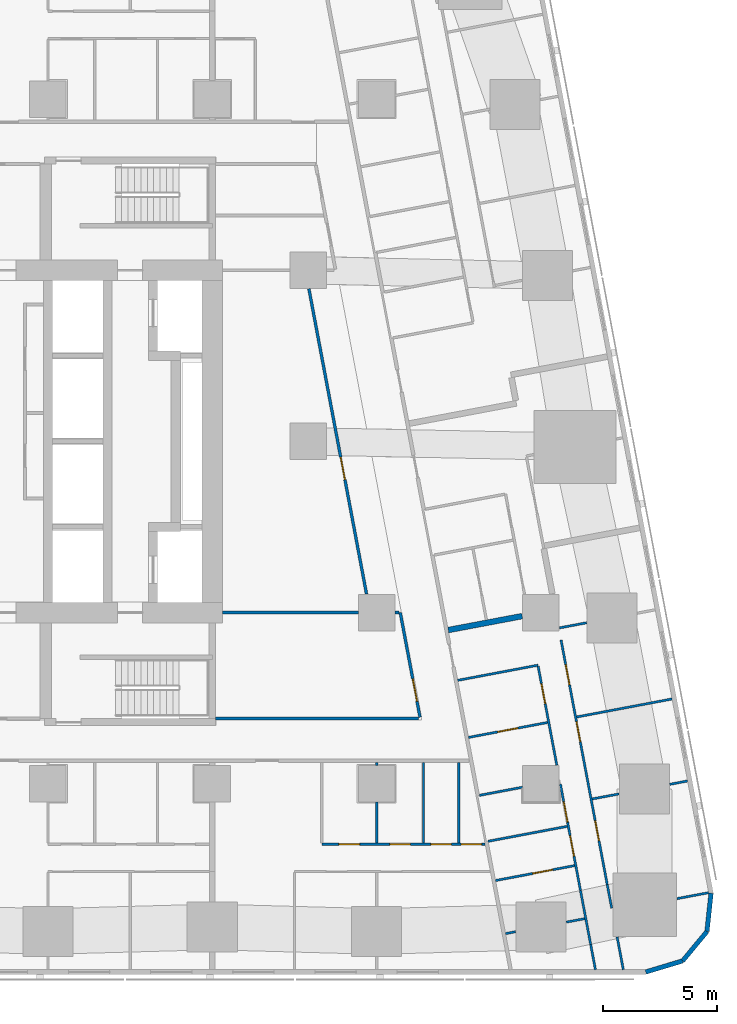
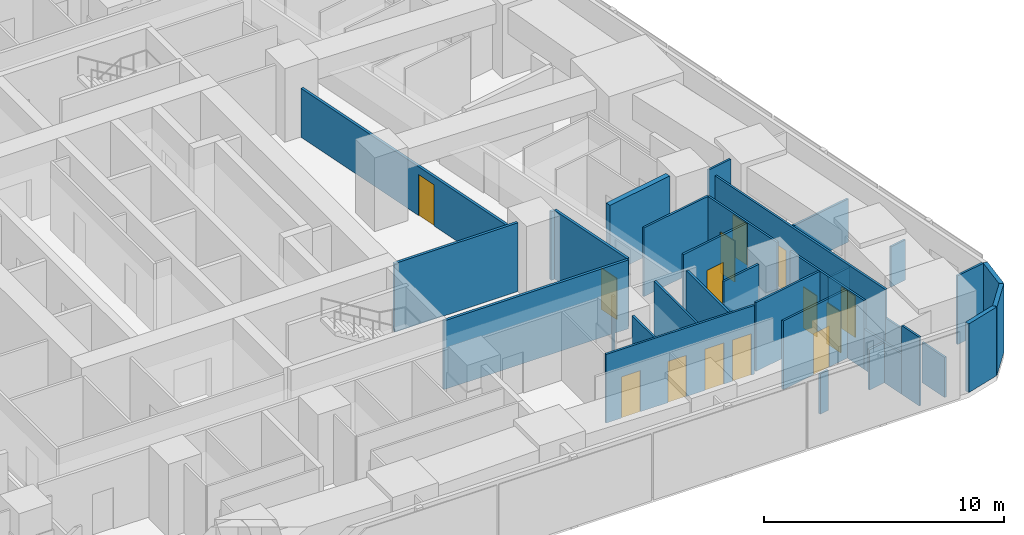
# One storey, part 7 of 17: 33 walls, 14 doors, 14 openings.
"""IFC4 building model written with IfcOpenShell, lengths in metres."""

from ifc_helpers import new_model, si_unit, direction, frame, frame_2d, origin, place, context, subcontext, project, spatial, rectangle, extrude, material, layer, layer_set, type_object, element, fill, save


model = new_model("IFC4")

# Units and contexts
model_context = context("Model", 3, precision=1e-05, world=origin(), true_north=direction((0.0, 1.0)))
body_context = subcontext(model_context, "Body", "Model", "MODEL_VIEW")
ifc_project = project(units=[si_unit("LENGTHUNIT", "METRE"), si_unit("AREAUNIT", "SQUARE_METRE"), si_unit("VOLUMEUNIT", "CUBIC_METRE"), si_unit("PLANEANGLEUNIT", "RADIAN"), si_unit("MASSUNIT", "GRAM", prefix="KILO")], contexts=[model_context])

# Site, building, storey
site_placement = place(None, origin())
site = spatial("IfcSite", under=ifc_project, at=site_placement, CompositionType="ELEMENT")
building_placement = place(site_placement, origin())
building = spatial("IfcBuilding", under=site, at=building_placement, Name="Sheger Commons Tower", CompositionType="ELEMENT")
storey_placement = place(building_placement, frame((0.0, 0.0, 115.39990234375)))
storey = spatial("IfcBuildingStorey", under=building, at=storey_placement, Name="L29", CompositionType="ELEMENT", Elevation=115.39990234375)

# Walls
ifc_material_1 = material(Name="Dense concrete block masonry, plastered both sides (separating wall between flats)", Category="masonry")
ifc_layer_1 = layer(ifc_material_1, 0.25)
ifc_layer_set_1 = layer_set([ifc_layer_1], Name="DEMISING WALL 250")
wall_type_1 = type_object("IfcWallType", Name="DEMISING WALL 250", PredefinedType="SOLIDWALL", material=ifc_layer_set_1)
wall_1_placement = place(storey_placement, frame((42.3759765625, 14.843994140625, 0.0), z_axis=(0.0, 0.0, 1.0), x_axis=(-0.982610440948, -0.18567908159, 0.0)))
element("IfcWall", 1, at=wall_1_placement, inside=storey, type_object=wall_type_1, Name="Demising wall L29", PredefinedType="SOLIDWALL", context=body_context, shape_type="SweptSolid", body=[
    extrude(rectangle(XDim=3.29638671875, YDim=0.25, at=frame_2d((1.648193359375, 0.0))), origin(), (0.0, 0.0, 1.0), 3.5),
])
ifc_material_2 = material(Name="Rendered concrete block masonry, dark grey", Category="masonry")
ifc_layer_2 = layer(ifc_material_2, 0.199951171875)
ifc_layer_set_2 = layer_set([ifc_layer_2], Name="FACADE WALL 200")
wall_type_2 = type_object("IfcWallType", Name="FACADE WALL 200", PredefinedType="SOLIDWALL", material=ifc_layer_set_2)
wall_2_placement = place(storey_placement, frame((47.791015625, -0.75, 0.0), z_axis=(0.0, 0.0, 1.0), x_axis=(0.957455232626, 0.288581838509, 0.0)))
element("IfcWall", 2, at=wall_2_placement, inside=storey, type_object=wall_type_2, Name="Facade wall L29", PredefinedType="SOLIDWALL", context=body_context, shape_type="SweptSolid", body=[
    extrude(rectangle(XDim=1.687744140625, YDim=0.199951171875, at=frame_2d((0.84375, 0.0))), origin(), (0.0, 0.0, 1.0), 3.5),
])
wall_3_placement = place(storey_placement, frame((49.406982421875, -0.262939453125, 0.0), z_axis=(0.0, 0.0, 1.0), x_axis=(0.638042593423, 0.770001070764, 0.0)))
element("IfcWall", 3, at=wall_3_placement, inside=storey, type_object=wall_type_2, Name="Facade wall L29", PredefinedType="SOLIDWALL", context=body_context, shape_type="SweptSolid", body=[
    extrude(rectangle(XDim=1.672607421875, YDim=0.199951171875, at=frame_2d((0.83642578125, 0.0))), origin(), (0.0, 0.0, 1.0), 3.5),
])
wall_4_placement = place(storey_placement, frame((50.47412109375, 1.02490234375, 0.0), z_axis=(0.0, 0.0, 1.0), x_axis=(0.106047815515, 0.994361031429, 0.0)))
element("IfcWall", 4, at=wall_4_placement, inside=storey, type_object=wall_type_2, Name="Facade wall L29", PredefinedType="SOLIDWALL", context=body_context, shape_type="SweptSolid", body=[
    extrude(rectangle(XDim=1.6875, YDim=0.199951171875, at=frame_2d((0.84375, 0.0))), origin(), (0.0, 0.0, 1.0), 3.5),
])

# Wall, openings, doors
ifc_material_3 = material(Name="Gypsum board on steel studs", Category="steel")
ifc_layer_3 = layer(ifc_material_3, 0.10009765625)
ifc_layer_set_3 = layer_set([ifc_layer_3], Name="PARTITION 100")
wall_type_3 = type_object("IfcWallType", Name="PARTITION 100", PredefinedType="PARTITIONING", material=ifc_layer_set_3)
wall_5_placement = place(storey_placement, frame((40.7470703125, 4.85009765625, 0.0), z_axis=(0.0, 0.0, 1.0), x_axis=(-1.0, 0.0, 0.0)))
wall_5 = element("IfcWall", 5, at=wall_5_placement, inside=storey, type_object=wall_type_3, Name="Partition L29", PredefinedType="PARTITIONING", context=body_context, shape_type="SweptSolid", body=[
    extrude(rectangle(XDim=7.14794921875, YDim=0.10009765625, at=frame_2d((3.573974609375, 0.0))), origin(), (0.0, 0.0, 1.0), 3.5),
])
opening_1_placement = place(wall_5_placement, frame((5.498046875, 0.0, 0.0)))
opening_1 = element("IfcOpeningElement", 6, at=opening_1_placement, cuts=wall_5, Name="Opening D2", PredefinedType="OPENING", context=body_context, shape_type="SweptSolid", body=[
    extrude(rectangle(XDim=0.89990234375, YDim=2.10009765625, at=frame_2d((0.449951171875, 1.050048828125))), frame((0.0, 0.06005859375, 0.0), z_axis=(0.0, -1.0, 0.0), x_axis=(1.0, 0.0, 0.0)), (0.0, 0.0, 1.0), 0.1201171875),
])
opening_2_placement = place(wall_5_placement, frame((3.27197265625, 0.0, 0.0)))
opening_2 = element("IfcOpeningElement", 7, at=opening_2_placement, cuts=wall_5, Name="Opening D2", PredefinedType="OPENING", context=body_context, shape_type="SweptSolid", body=[
    extrude(rectangle(XDim=0.89990234375, YDim=2.10009765625, at=frame_2d((0.449951171875, 1.050048828125))), frame((0.0, 0.06005859375, 0.0), z_axis=(0.0, -1.0, 0.0), x_axis=(1.0, 0.0, 0.0)), (0.0, 0.0, 1.0), 0.1201171875),
])
opening_3_placement = place(wall_5_placement, frame((0.14990234375, 0.0, 0.0)))
opening_3 = element("IfcOpeningElement", 8, at=opening_3_placement, cuts=wall_5, Name="Opening D2", PredefinedType="OPENING", context=body_context, shape_type="SweptSolid", body=[
    extrude(rectangle(XDim=0.89990234375, YDim=2.10009765625, at=frame_2d((0.449951171875, 1.050048828125))), frame((0.0, 0.06005859375, 0.0), z_axis=(0.0, -1.0, 0.0), x_axis=(1.0, 0.0, 0.0)), (0.0, 0.0, 1.0), 0.1201171875),
])
opening_4_placement = place(wall_5_placement, frame((1.471923828125, 0.0, 0.0)))
opening_4 = element("IfcOpeningElement", 9, at=opening_4_placement, cuts=wall_5, Name="Opening D2", PredefinedType="OPENING", context=body_context, shape_type="SweptSolid", body=[
    extrude(rectangle(XDim=0.89990234375, YDim=2.10009765625, at=frame_2d((0.449951171875, 1.050048828125))), frame((0.0, 0.06005859375, 0.0), z_axis=(0.0, -1.0, 0.0), x_axis=(1.0, 0.0, 0.0)), (0.0, 0.0, 1.0), 0.1201171875),
])
ifc_material_4 = material(Name="Timber door set", Category="wood")
door_type_1 = type_object("IfcDoorType", Name="INTERNAL DOOR 900x2100", OperationType="NOTDEFINED", PredefinedType="DOOR", material=ifc_material_4)
door_1_placement = place(opening_1_placement, origin())
door_1 = element("IfcDoor", 10, at=door_1_placement, inside=storey, type_object=door_type_1, Name="Laundry room door", OperationType="SINGLE_SWING_LEFT", OverallHeight=2.10009765625, OverallWidth=0.89990234375, PredefinedType="DOOR", context=body_context, shape_type="SweptSolid", body=[
    extrude(rectangle(XDim=0.89990234375, YDim=2.10009765625, at=frame_2d((0.449951171875, 1.050048828125))), frame((0.0, 0.02490234375, 0.0), z_axis=(0.0, -1.0, 0.0), x_axis=(1.0, 0.0, 0.0)), (0.0, 0.0, 1.0), 0.050048828125),
])
fill(opening_1, door_1)
door_2_placement = place(opening_2_placement, origin())
door_2 = element("IfcDoor", 11, at=door_2_placement, inside=storey, type_object=door_type_1, Name="Bathroom door", OperationType="SINGLE_SWING_RIGHT", OverallHeight=2.10009765625, OverallWidth=0.89990234375, PredefinedType="DOOR", context=body_context, shape_type="SweptSolid", body=[
    extrude(rectangle(XDim=0.89990234375, YDim=2.10009765625, at=frame_2d((0.449951171875, 1.050048828125))), frame((0.0, 0.02490234375, 0.0), z_axis=(0.0, -1.0, 0.0), x_axis=(1.0, 0.0, 0.0)), (0.0, 0.0, 1.0), 0.050048828125),
])
fill(opening_2, door_2)
door_3_placement = place(opening_3_placement, origin())
door_3 = element("IfcDoor", 12, at=door_3_placement, inside=storey, type_object=door_type_1, Name="Laundry room door", OperationType="SINGLE_SWING_RIGHT", OverallHeight=2.10009765625, OverallWidth=0.89990234375, PredefinedType="DOOR", context=body_context, shape_type="SweptSolid", body=[
    extrude(rectangle(XDim=0.89990234375, YDim=2.10009765625, at=frame_2d((0.449951171875, 1.050048828125))), frame((0.0, 0.02490234375, 0.0), z_axis=(0.0, -1.0, 0.0), x_axis=(1.0, 0.0, 0.0)), (0.0, 0.0, 1.0), 0.050048828125),
])
fill(opening_3, door_3)
door_4_placement = place(opening_4_placement, origin())
door_4 = element("IfcDoor", 13, at=door_4_placement, inside=storey, type_object=door_type_1, Name="Store door", OperationType="SINGLE_SWING_LEFT", OverallHeight=2.10009765625, OverallWidth=0.89990234375, PredefinedType="DOOR", context=body_context, shape_type="SweptSolid", body=[
    extrude(rectangle(XDim=0.89990234375, YDim=2.10009765625, at=frame_2d((0.449951171875, 1.050048828125))), frame((0.0, 0.02490234375, 0.0), z_axis=(0.0, -1.0, 0.0), x_axis=(1.0, 0.0, 0.0)), (0.0, 0.0, 1.0), 0.050048828125),
])
fill(opening_4, door_4)

# Walls
wall_6_placement = place(storey_placement, frame((36.0, 4.89990234375, 0.0), z_axis=(0.0, 0.0, 1.0), x_axis=(0.0, 1.0, 0.0)))
element("IfcWall", 14, at=wall_6_placement, inside=storey, type_object=wall_type_3, Name="Partition L29", PredefinedType="PARTITIONING", context=body_context, shape_type="SweptSolid", body=[
    extrude(rectangle(XDim=1.799072265625, YDim=0.10009765625, at=frame_2d((0.8994140625, 0.0))), origin(), (0.0, 0.0, 1.0), 3.5),
])
wall_7_placement = place(storey_placement, frame((36.0, 8.301025390625, 0.0), z_axis=(0.0, 0.0, 1.0), x_axis=(0.0, 1.0, 0.0)))
element("IfcWall", 15, at=wall_7_placement, inside=storey, type_object=wall_type_3, Name="Partition L29", PredefinedType="PARTITIONING", context=body_context, shape_type="SweptSolid", body=[
    extrude(rectangle(XDim=0.1240234375, YDim=0.10009765625, at=frame_2d((0.06201171875, 0.0))), origin(), (0.0, 0.0, 1.0), 3.5),
])
for number, where, z_axis, x_axis, name in (
    (16, (39.60009765625, 4.89990234375, 0.0), (0.0, 0.0, 1.0), (0.0, 1.0, 0.0), "Partition L29"),
    (17, (38.050048828125, 4.89990234375, 0.0), (0.0, 0.0, 1.0), (0.0, 1.0, 0.0), "Partition L29"),
):
    element("IfcWall", number, at=place(storey_placement, frame(where, z_axis=z_axis, x_axis=x_axis)), inside=storey, type_object=wall_type_3, Name=name, PredefinedType="PARTITIONING", context=body_context, shape_type="SweptSolid", body=[
        extrude(rectangle(XDim=3.525146484375, YDim=0.10009765625, at=frame_2d((1.7626953125, 0.0))), origin(), (0.0, 0.0, 1.0), 3.5),
    ])

# Wall, openings, doors
wall_8_placement = place(storey_placement, frame((44.080078125, 13.7939453125, 0.0), z_axis=(0.0, 0.0, 1.0), x_axis=(0.185608455357, -0.982623784212, 0.0)))
wall_8 = element("IfcWall", 18, at=wall_8_placement, inside=storey, type_object=wall_type_3, Name="Partition L29", PredefinedType="PARTITIONING", context=body_context, shape_type="SweptSolid", body=[
    extrude(rectangle(XDim=10.909423828125, YDim=0.10009765625, at=frame_2d((5.45458984375, 0.0))), origin(), (0.0, 0.0, 1.0), 3.5),
])
opening_5_placement = place(wall_8_placement, frame((1.093994140625, 0.0, 0.0)))
opening_5 = element("IfcOpeningElement", 19, at=opening_5_placement, cuts=wall_8, Name="Opening D2", PredefinedType="OPENING", context=body_context, shape_type="SweptSolid", body=[
    extrude(rectangle(XDim=0.89990234375, YDim=2.10009765625, at=frame_2d((0.449951171875, 1.050048828125))), frame((0.0, 0.06005859375, 0.0), z_axis=(0.0, -1.0, 0.0), x_axis=(1.0, 0.0, 0.0)), (0.0, 0.0, 1.0), 0.1201171875),
])
opening_6_placement = place(wall_8_placement, frame((3.638916015625, 0.0, 0.0)))
opening_6 = element("IfcOpeningElement", 20, at=opening_6_placement, cuts=wall_8, Name="Opening D2", PredefinedType="OPENING", context=body_context, shape_type="SweptSolid", body=[
    extrude(rectangle(XDim=0.89990234375, YDim=2.10009765625, at=frame_2d((0.449951171875, 1.050048828125))), frame((0.0, 0.06005859375, 0.0), z_axis=(0.0, -1.0, 0.0), x_axis=(1.0, 0.0, 0.0)), (0.0, 0.0, 1.0), 0.1201171875),
])
opening_7_placement = place(wall_8_placement, frame((8.050048828125, 0.0, 0.0)))
opening_7 = element("IfcOpeningElement", 21, at=opening_7_placement, cuts=wall_8, Name="Opening D2", PredefinedType="OPENING", context=body_context, shape_type="SweptSolid", body=[
    extrude(rectangle(XDim=0.89990234375, YDim=2.10009765625, at=frame_2d((0.449951171875, 1.050048828125))), frame((0.0, 0.06005859375, 0.0), z_axis=(0.0, -1.0, 0.0), x_axis=(1.0, 0.0, 0.0)), (0.0, 0.0, 1.0), 0.1201171875),
])
door_5_placement = place(opening_5_placement, origin())
door_5 = element("IfcDoor", 22, at=door_5_placement, inside=storey, type_object=door_type_1, Name="Main bedroom door", OperationType="SINGLE_SWING_LEFT", OverallHeight=2.10009765625, OverallWidth=0.89990234375, PredefinedType="DOOR", context=body_context, shape_type="SweptSolid", body=[
    extrude(rectangle(XDim=0.89990234375, YDim=2.10009765625, at=frame_2d((0.449951171875, 1.050048828125))), frame((0.0, 0.02490234375, 0.0), z_axis=(0.0, -1.0, 0.0), x_axis=(1.0, 0.0, 0.0)), (0.0, 0.0, 1.0), 0.050048828125),
])
fill(opening_5, door_5)
door_6_placement = place(opening_6_placement, origin())
door_6 = element("IfcDoor", 23, at=door_6_placement, inside=storey, type_object=door_type_1, Name="Bedroom 2 door", OperationType="SINGLE_SWING_LEFT", OverallHeight=2.10009765625, OverallWidth=0.89990234375, PredefinedType="DOOR", context=body_context, shape_type="SweptSolid", body=[
    extrude(rectangle(XDim=0.89990234375, YDim=2.10009765625, at=frame_2d((0.449951171875, 1.050048828125))), frame((0.0, 0.02490234375, 0.0), z_axis=(0.0, -1.0, 0.0), x_axis=(1.0, 0.0, 0.0)), (0.0, 0.0, 1.0), 0.050048828125),
])
fill(opening_6, door_6)
door_7_placement = place(opening_7_placement, origin())
door_7 = element("IfcDoor", 24, at=door_7_placement, inside=storey, type_object=door_type_1, Name="Bedroom 3 door", OperationType="SINGLE_SWING_LEFT", OverallHeight=2.10009765625, OverallWidth=0.89990234375, PredefinedType="DOOR", context=body_context, shape_type="SweptSolid", body=[
    extrude(rectangle(XDim=0.89990234375, YDim=2.10009765625, at=frame_2d((0.449951171875, 1.050048828125))), frame((0.0, 0.02490234375, 0.0), z_axis=(0.0, -1.0, 0.0), x_axis=(1.0, 0.0, 0.0)), (0.0, 0.0, 1.0), 0.050048828125),
])
fill(opening_7, door_7)

# Walls
wall_9_placement = place(storey_placement, frame((46.10498046875, 3.073974609375, 0.0), z_axis=(0.0, 0.0, 1.0), x_axis=(0.185727077805, -0.982601370124, 0.0)))
element("IfcWall", 25, at=wall_9_placement, inside=storey, type_object=wall_type_3, Name="Partition L29", PredefinedType="PARTITIONING", context=body_context, shape_type="SweptSolid", body=[
    extrude(rectangle(XDim=1.044921875, YDim=0.10009765625, at=frame_2d((0.5224609375, 0.0))), origin(), (0.0, 0.0, 1.0), 2.050048828125),
])
wall_10_placement = place(storey_placement, frame((46.537109375, 0.787109375, 0.0), z_axis=(0.0, 0.0, 1.0), x_axis=(0.1853166059, -0.982678866964, 0.0)))
element("IfcWall", 26, at=wall_10_placement, inside=storey, type_object=wall_type_3, Name="Partition L29", PredefinedType="PARTITIONING", context=body_context, shape_type="SweptSolid", body=[
    extrude(rectangle(XDim=1.46240234375, YDim=0.10009765625, at=frame_2d((0.731201171875, 0.0))), origin(), (0.0, 0.0, 1.0), 2.050048828125),
])

# Wall, opening, door
wall_11_placement = place(storey_placement, frame((43.075927734375, 12.64404296875, 0.0), z_axis=(0.0, 0.0, 1.0), x_axis=(0.185705350074, -0.982605476757, 0.0)))
wall_11 = element("IfcWall", 27, at=wall_11_placement, inside=storey, type_object=wall_type_3, Name="Partition L29", PredefinedType="PARTITIONING", context=body_context, shape_type="SweptSolid", body=[
    extrude(rectangle(XDim=4.41064453125, YDim=0.10009765625, at=frame_2d((2.205322265625, 0.0))), origin(), (0.0, 0.0, 1.0), 3.5),
])
opening_8_placement = place(wall_11_placement, frame((0.77294921875, 0.0, 0.0)))
opening_8 = element("IfcOpeningElement", 28, at=opening_8_placement, cuts=wall_11, Name="Opening D2", PredefinedType="OPENING", context=body_context, shape_type="SweptSolid", body=[
    extrude(rectangle(XDim=0.89990234375, YDim=2.10009765625, at=frame_2d((0.449951171875, 1.050048828125))), frame((0.0, 0.06005859375, 0.0), z_axis=(0.0, -1.0, 0.0), x_axis=(1.0, 0.0, 0.0)), (0.0, 0.0, 1.0), 0.1201171875),
])
door_8_placement = place(opening_8_placement, origin())
door_8 = element("IfcDoor", 29, at=door_8_placement, inside=storey, type_object=door_type_1, Name="Store and laundry door", OperationType="SINGLE_SWING_RIGHT", OverallHeight=2.10009765625, OverallWidth=0.89990234375, PredefinedType="DOOR", context=body_context, shape_type="SweptSolid", body=[
    extrude(rectangle(XDim=0.89990234375, YDim=2.10009765625, at=frame_2d((0.449951171875, 1.050048828125))), frame((0.0, 0.02490234375, 0.0), z_axis=(0.0, -1.0, 0.0), x_axis=(1.0, 0.0, 0.0)), (0.0, 0.0, 1.0), 0.050048828125),
])
fill(opening_8, door_8)

# Wall, openings, doors
wall_12_placement = place(storey_placement, frame((44.049072265625, 7.490966796875, 0.0), z_axis=(0.0, 0.0, 1.0), x_axis=(0.185628828844, -0.982619935632, 0.0)))
wall_12 = element("IfcWall", 30, at=wall_12_placement, inside=storey, type_object=wall_type_3, Name="Partition L29", PredefinedType="PARTITIONING", context=body_context, shape_type="SweptSolid", body=[
    extrude(rectangle(XDim=4.75048828125, YDim=0.10009765625, at=frame_2d((2.375244140625, 0.0))), origin(), (0.0, 0.0, 1.0), 3.5),
])
opening_9_placement = place(wall_12_placement, frame((0.800048828125, 0.0, 0.0)))
opening_9 = element("IfcOpeningElement", 31, at=opening_9_placement, cuts=wall_12, Name="Opening D2", PredefinedType="OPENING", context=body_context, shape_type="SweptSolid", body=[
    extrude(rectangle(XDim=0.89990234375, YDim=2.10009765625, at=frame_2d((0.449951171875, 1.050048828125))), frame((0.0, 0.06005859375, 0.0), z_axis=(0.0, -1.0, 0.0), x_axis=(1.0, 0.0, 0.0)), (0.0, 0.0, 1.0), 0.1201171875),
])
opening_10_placement = place(wall_12_placement, frame((2.31591796875, 0.0, 0.0)))
opening_10 = element("IfcOpeningElement", 32, at=opening_10_placement, cuts=wall_12, Name="Opening D2", PredefinedType="OPENING", context=body_context, shape_type="SweptSolid", body=[
    extrude(rectangle(XDim=0.89990234375, YDim=2.10009765625, at=frame_2d((0.449951171875, 1.050048828125))), frame((0.0, 0.06005859375, 0.0), z_axis=(0.0, -1.0, 0.0), x_axis=(1.0, 0.0, 0.0)), (0.0, 0.0, 1.0), 0.1201171875),
])
door_9_placement = place(opening_9_placement, origin())
door_9 = element("IfcDoor", 33, at=door_9_placement, inside=storey, type_object=door_type_1, Name="Bathroom door", OperationType="SINGLE_SWING_LEFT", OverallHeight=2.10009765625, OverallWidth=0.89990234375, PredefinedType="DOOR", context=body_context, shape_type="SweptSolid", body=[
    extrude(rectangle(XDim=0.89990234375, YDim=2.10009765625, at=frame_2d((0.449951171875, 1.050048828125))), frame((0.0, 0.02490234375, 0.0), z_axis=(0.0, -1.0, 0.0), x_axis=(1.0, 0.0, 0.0)), (0.0, 0.0, 1.0), 0.050048828125),
])
fill(opening_9, door_9)
door_10_placement = place(opening_10_placement, origin())
door_10 = element("IfcDoor", 34, at=door_10_placement, inside=storey, type_object=door_type_1, Name="Store door", OperationType="SINGLE_SWING_LEFT", OverallHeight=2.10009765625, OverallWidth=0.89990234375, PredefinedType="DOOR", context=body_context, shape_type="SweptSolid", body=[
    extrude(rectangle(XDim=0.89990234375, YDim=2.10009765625, at=frame_2d((0.449951171875, 1.050048828125))), frame((0.0, 0.02490234375, 0.0), z_axis=(0.0, -1.0, 0.0), x_axis=(1.0, 0.0, 0.0)), (0.0, 0.0, 1.0), 0.050048828125),
])
fill(opening_10, door_10)

# Walls
wall_13_placement = place(storey_placement, frame((44.930908203125, 2.822998046875, 0.0), z_axis=(0.0, 0.0, 1.0), x_axis=(0.185631845838, -0.982619365681, 0.0)))
element("IfcWall", 35, at=wall_13_placement, inside=storey, type_object=wall_type_3, Name="Partition L29", PredefinedType="PARTITIONING", context=body_context, shape_type="SweptSolid", body=[
    extrude(rectangle(XDim=2.40283203125, YDim=0.10009765625, at=frame_2d((1.201416015625, 0.0))), origin(), (0.0, 0.0, 1.0), 2.050048828125),
])
wall_14_placement = place(storey_placement, frame((45.376953125, 0.4619140625, 0.0), z_axis=(0.0, 0.0, 1.0), x_axis=(0.185565106588, -0.9826319714, 0.0)))
element("IfcWall", 36, at=wall_14_placement, inside=storey, type_object=wall_type_3, Name="Partition L29", PredefinedType="PARTITIONING", context=body_context, shape_type="SweptSolid", body=[
    extrude(rectangle(XDim=1.13134765625, YDim=0.10009765625, at=frame_2d((0.565673828125, 0.0))), origin(), (0.0, 0.0, 1.0), 3.5),
])
wall_15_placement = place(storey_placement, frame((45.2041015625, 14.552978515625, 0.0), z_axis=(0.0, 0.0, 1.0), x_axis=(-0.982545444659, -0.186022711461, 0.0)))
element("IfcWall", 37, at=wall_15_placement, inside=storey, type_object=wall_type_3, Name="Partition L29", PredefinedType="PARTITIONING", context=body_context, shape_type="SweptSolid", body=[
    extrude(rectangle(XDim=1.21533203125, YDim=0.10009765625, at=frame_2d((0.607666015625, 0.0))), origin(), (0.0, 0.0, 1.0), 3.5),
])
wall_16_placement = place(storey_placement, frame((48.943115234375, 11.212890625, 0.0), z_axis=(0.0, 0.0, 1.0), x_axis=(-0.982623519589, -0.185609856287, 0.0)))
element("IfcWall", 38, at=wall_16_placement, inside=storey, type_object=wall_type_3, Name="Partition L29", PredefinedType="PARTITIONING", context=body_context, shape_type="SweptSolid", body=[
    extrude(rectangle(XDim=4.249755859375, YDim=0.10009765625, at=frame_2d((2.125, 0.0))), origin(), (0.0, 0.0, 1.0), 2.2001953125),
])
wall_17_placement = place(storey_placement, frame((49.6220703125, 7.6201171875, 0.0), z_axis=(0.0, 0.0, 1.0), x_axis=(-0.982512656401, -0.186195810938, 0.0)))
element("IfcWall", 39, at=wall_17_placement, inside=storey, type_object=wall_type_3, Name="Partition L29", PredefinedType="PARTITIONING", context=body_context, shape_type="SweptSolid", body=[
    extrude(rectangle(XDim=0.7958984375, YDim=0.10009765625, at=frame_2d((0.39794921875, 0.0))), origin(), (0.0, 0.0, 1.0), 2.050048828125),
])
wall_18_placement = place(storey_placement, frame((46.6201171875, 7.052978515625, 0.0), z_axis=(0.0, 0.0, 1.0), x_axis=(-0.982749355621, -0.18494243436, 0.0)))
element("IfcWall", 40, at=wall_18_placement, inside=storey, type_object=wall_type_3, Name="Partition L29", PredefinedType="PARTITIONING", context=body_context, shape_type="SweptSolid", body=[
    extrude(rectangle(XDim=1.194580078125, YDim=0.10009765625, at=frame_2d((0.59716796875, 0.0))), origin(), (0.0, 0.0, 1.0), 2.050048828125),
])
wall_19_placement = place(storey_placement, frame((50.547119140625, 2.72607421875, 0.0), z_axis=(0.0, 0.0, 1.0), x_axis=(-0.982680053146, -0.185310315822, 0.0)))
element("IfcWall", 41, at=wall_19_placement, inside=storey, type_object=wall_type_3, Name="Partition L29", PredefinedType="PARTITIONING", context=body_context, shape_type="SweptSolid", body=[
    extrude(rectangle(XDim=1.41357421875, YDim=0.10009765625, at=frame_2d((0.706787109375, 0.0))), origin(), (0.0, 0.0, 1.0), 3.5),
])
wall_20_placement = place(storey_placement, frame((43.06689453125, 12.693115234375, 0.0), z_axis=(0.0, 0.0, 1.0), x_axis=(-0.982598214409, -0.185743772548, 0.0)))
element("IfcWall", 42, at=wall_20_placement, inside=storey, type_object=wall_type_3, Name="Partition L29", PredefinedType="PARTITIONING", context=body_context, shape_type="SweptSolid", body=[
    extrude(rectangle(XDim=3.5751953125, YDim=0.10009765625, at=frame_2d((1.78759765625, 0.0))), origin(), (0.0, 0.0, 1.0), 3.5),
])

# Wall, opening, door
wall_21_placement = place(storey_placement, frame((43.489990234375, 10.18310546875, 0.0), z_axis=(0.0, 0.0, 1.0), x_axis=(-0.982588017646, -0.185797706064, 0.0)))
wall_21 = element("IfcWall", 43, at=wall_21_placement, inside=storey, type_object=wall_type_3, Name="Partition L29", PredefinedType="PARTITIONING", context=body_context, shape_type="SweptSolid", body=[
    extrude(rectangle(XDim=3.525390625, YDim=0.10009765625, at=frame_2d((1.7626953125, 0.0))), origin(), (0.0, 0.0, 1.0), 3.5),
])
opening_11_placement = place(wall_21_placement, frame((1.324951171875, 0.0, 0.0)))
opening_11 = element("IfcOpeningElement", 44, at=opening_11_placement, cuts=wall_21, Name="Opening D2", PredefinedType="OPENING", context=body_context, shape_type="SweptSolid", body=[
    extrude(rectangle(XDim=0.89990234375, YDim=2.10009765625, at=frame_2d((0.449951171875, 1.050048828125))), frame((0.0, 0.06005859375, 0.0), z_axis=(0.0, -1.0, 0.0), x_axis=(1.0, 0.0, 0.0)), (0.0, 0.0, 1.0), 0.1201171875),
])
door_11_placement = place(opening_11_placement, origin())
door_11 = element("IfcDoor", 45, at=door_11_placement, inside=storey, type_object=door_type_1, Name="Store door", OperationType="SINGLE_SWING_LEFT", OverallHeight=2.10009765625, OverallWidth=0.89990234375, PredefinedType="DOOR", context=body_context, shape_type="SweptSolid", body=[
    extrude(rectangle(XDim=0.89990234375, YDim=2.10009765625, at=frame_2d((0.449951171875, 1.050048828125))), frame((0.0, 0.02490234375, 0.0), z_axis=(0.0, -1.0, 0.0), x_axis=(1.0, 0.0, 0.0)), (0.0, 0.0, 1.0), 0.050048828125),
])
fill(opening_11, door_11)

# Walls
wall_22_placement = place(storey_placement, frame((42.389892578125, 7.346923828125, 0.0), z_axis=(0.0, 0.0, 1.0), x_axis=(-0.982633642782, -0.185556255819, 0.0)))
element("IfcWall", 46, at=wall_22_placement, inside=storey, type_object=wall_type_3, Name="Partition L29", PredefinedType="PARTITIONING", context=body_context, shape_type="SweptSolid", body=[
    extrude(rectangle(XDim=1.918212890625, YDim=0.10009765625, at=frame_2d((0.958984375, 0.0))), origin(), (0.0, 0.0, 1.0), 3.5),
])
wall_23_placement = place(storey_placement, frame((45.114013671875, 1.5869140625, 0.0), z_axis=(0.0, 0.0, 1.0), x_axis=(-0.982624706348, -0.185603573443, 0.0)))
element("IfcWall", 47, at=wall_23_placement, inside=storey, type_object=wall_type_3, Name="Partition L29", PredefinedType="PARTITIONING", context=body_context, shape_type="SweptSolid", body=[
    extrude(rectangle(XDim=0.818115234375, YDim=0.10009765625, at=frame_2d((0.4091796875, 0.0))), origin(), (0.0, 0.0, 1.0), 2.050048828125),
])
wall_24_placement = place(storey_placement, frame((42.090087890625, 1.014892578125, 0.0), z_axis=(0.0, 0.0, 1.0), x_axis=(-0.982680384557, -0.185308558375, 0.0)))
element("IfcWall", 48, at=wall_24_placement, inside=storey, type_object=wall_type_3, Name="Partition L29", PredefinedType="PARTITIONING", context=body_context, shape_type="SweptSolid", body=[
    extrude(rectangle(XDim=0.447998046875, YDim=0.10009765625, at=frame_2d((0.22412109375, 0.0))), origin(), (0.0, 0.0, 1.0), 2.050048828125),
])
wall_25_placement = place(storey_placement, frame((44.35009765625, 5.631103515625, 0.0), z_axis=(0.0, 0.0, 1.0), x_axis=(-0.982638553676, -0.185530247748, 0.0)))
element("IfcWall", 49, at=wall_25_placement, inside=storey, type_object=wall_type_3, Name="Partition L29", PredefinedType="PARTITIONING", context=body_context, shape_type="SweptSolid", body=[
    extrude(rectangle(XDim=3.525390625, YDim=0.10009765625, at=frame_2d((1.7626953125, 0.0))), origin(), (0.0, 0.0, 1.0), 3.5),
])

# Wall, opening, door
wall_26_placement = place(storey_placement, frame((41.2099609375, 3.258056640625, 0.0), z_axis=(0.0, 0.0, 1.0), x_axis=(0.982638553676, 0.185530247748, 0.0)))
wall_26 = element("IfcWall", 50, at=wall_26_placement, inside=storey, type_object=wall_type_3, Name="Partition L29", PredefinedType="PARTITIONING", context=body_context, shape_type="SweptSolid", body=[
    extrude(rectangle(XDim=3.525390625, YDim=0.10009765625, at=frame_2d((1.7626953125, 0.0))), origin(), (0.0, 0.0, 1.0), 3.5),
])
opening_12_placement = place(wall_26_placement, frame((1.64990234375, 0.0, 0.0)))
opening_12 = element("IfcOpeningElement", 51, at=opening_12_placement, cuts=wall_26, Name="Opening D2", PredefinedType="OPENING", context=body_context, shape_type="SweptSolid", body=[
    extrude(rectangle(XDim=0.89990234375, YDim=2.10009765625, at=frame_2d((0.449951171875, 1.050048828125))), frame((0.0, 0.06005859375, 0.0), z_axis=(0.0, -1.0, 0.0), x_axis=(1.0, 0.0, 0.0)), (0.0, 0.0, 1.0), 0.1201171875),
])
door_12_placement = place(opening_12_placement, origin())
door_12 = element("IfcDoor", 52, at=door_12_placement, inside=storey, type_object=door_type_1, Name="Store door", OperationType="SINGLE_SWING_RIGHT", OverallHeight=2.10009765625, OverallWidth=0.89990234375, PredefinedType="DOOR", context=body_context, shape_type="SweptSolid", body=[
    extrude(rectangle(XDim=0.89990234375, YDim=2.10009765625, at=frame_2d((0.449951171875, 1.050048828125))), frame((0.0, 0.02490234375, 0.0), z_axis=(0.0, -1.0, 0.0), x_axis=(1.0, 0.0, 0.0)), (0.0, 0.0, 1.0), 0.050048828125),
])
fill(opening_12, door_12)

# Wall
ifc_material_5 = material(Name="Gypsum board on steel studs, two layers each side, fire rated", Category="steel")
ifc_layer_4 = layer(ifc_material_5, 0.125)
ifc_layer_set_4 = layer_set([ifc_layer_4], Name="SERVICE WALL 125")
wall_type_4 = type_object("IfcWallType", Name="SERVICE WALL 125", PredefinedType="PARTITIONING", material=ifc_layer_set_4)
wall_27_placement = place(storey_placement, frame((28.949951171875, 10.35009765625, 0.0), z_axis=(0.0, 0.0, 1.0), x_axis=(1.0, 0.0, 0.0)))
element("IfcWall", 53, at=wall_27_placement, inside=storey, type_object=wall_type_4, Name="Service room wall L29", PredefinedType="PARTITIONING", context=body_context, shape_type="SweptSolid", body=[
    extrude(rectangle(XDim=8.885986328125, YDim=0.125, at=frame_2d((4.44287109375, 0.0))), origin(), (0.0, 0.0, 1.0), 3.5),
])

# Wall, opening, door
wall_28_placement = place(storey_placement, frame((37.89990234375, 10.4130859375, 0.0), z_axis=(0.0, 0.0, 1.0), x_axis=(-0.185513629891, 0.982641691119, 0.0)))
wall_28 = element("IfcWall", 54, at=wall_28_placement, inside=storey, type_object=wall_type_4, Name="Service room wall L29", PredefinedType="PARTITIONING", context=body_context, shape_type="SweptSolid", body=[
    extrude(rectangle(XDim=4.66796875, YDim=0.125, at=frame_2d((2.333984375, 0.0))), origin(), (0.0, 0.0, 1.0), 3.5),
])
opening_13_placement = place(wall_28_placement, frame((0.7080078125, 0.0, 0.0)))
opening_13 = element("IfcOpeningElement", 55, at=opening_13_placement, cuts=wall_28, Name="Opening D4", PredefinedType="OPENING", context=body_context, shape_type="SweptSolid", body=[
    extrude(rectangle(XDim=1.0, YDim=2.10009765625, at=frame_2d((0.5, 1.050048828125))), frame((0.0, 0.072509765625, 0.0), z_axis=(0.0, -1.0, 0.0), x_axis=(1.0, 0.0, 0.0)), (0.0, 0.0, 1.0), 0.14501953125),
])
ifc_material_6 = material(Name="Steel door set, fire rated", Category="steel")
door_type_2 = type_object("IfcDoorType", Name="SERVICE DOOR 1000x2100", OperationType="NOTDEFINED", PredefinedType="DOOR", material=ifc_material_6)
door_13_placement = place(opening_13_placement, origin())
door_13 = element("IfcDoor", 56, at=door_13_placement, inside=storey, type_object=door_type_2, Name="Parcel and delivery room door", OperationType="SINGLE_SWING_LEFT", OverallHeight=2.10009765625, OverallWidth=1.0, PredefinedType="DOOR", context=body_context, shape_type="SweptSolid", body=[
    extrude(rectangle(XDim=1.0, YDim=2.10009765625, at=frame_2d((0.5, 1.050048828125))), frame((0.0, 0.02490234375, 0.0), z_axis=(0.0, -1.0, 0.0), x_axis=(1.0, 0.0, 0.0)), (0.0, 0.0, 1.0), 0.050048828125),
])
fill(opening_13, door_13)

wall_29_placement = place(storey_placement, frame((35.556884765625, 15.81298828125, 0.0), z_axis=(0.0, 0.0, 1.0), x_axis=(-0.185583681679, 0.982628463405, 0.0)))
wall_29 = element("IfcWall", 57, at=wall_29_placement, inside=storey, type_object=wall_type_4, Name="Service room wall L29", PredefinedType="PARTITIONING", context=body_context, shape_type="SweptSolid", body=[
    extrude(rectangle(XDim=13.6103515625, YDim=0.125, at=frame_2d((6.80517578125, 0.0))), origin(), (0.0, 0.0, 1.0), 2.5),
])
opening_14_placement = place(wall_29_placement, frame((5.10009765625, 0.0, 0.0)))
opening_14 = element("IfcOpeningElement", 58, at=opening_14_placement, cuts=wall_29, Name="Opening D4", PredefinedType="OPENING", context=body_context, shape_type="SweptSolid", body=[
    extrude(rectangle(XDim=1.0, YDim=2.10009765625, at=frame_2d((0.5, 1.050048828125))), frame((0.0, 0.072509765625, 0.0), z_axis=(0.0, -1.0, 0.0), x_axis=(1.0, 0.0, 0.0)), (0.0, 0.0, 1.0), 0.14501953125),
])
door_14_placement = place(opening_14_placement, origin())
door_14 = element("IfcDoor", 59, at=door_14_placement, inside=storey, type_object=door_type_2, Name="Residents' gym door", OperationType="SINGLE_SWING_LEFT", OverallHeight=2.10009765625, OverallWidth=1.0, PredefinedType="DOOR", context=body_context, shape_type="SweptSolid", body=[
    extrude(rectangle(XDim=1.0, YDim=2.10009765625, at=frame_2d((0.5, 1.050048828125))), frame((0.0, 0.02490234375, 0.0), z_axis=(0.0, -1.0, 0.0), x_axis=(1.0, 0.0, 0.0)), (0.0, 0.0, 1.0), 0.050048828125),
])
fill(opening_14, door_14)

# Walls
wall_30_placement = place(storey_placement, frame((29.25, 15.0, 0.0), z_axis=(0.0, 0.0, 1.0), x_axis=(1.0, 0.0, 0.0)))
element("IfcWall", 60, at=wall_30_placement, inside=storey, type_object=wall_type_4, Name="Service room wall L29", PredefinedType="PARTITIONING", context=body_context, shape_type="SweptSolid", body=[
    extrude(rectangle(XDim=5.948974609375, YDim=0.125, at=frame_2d((2.974609375, 0.0))), origin(), (0.0, 0.0, 1.0), 3.5),
])
wall_31_placement = place(storey_placement, frame((36.801025390625, 15.0, 0.0), z_axis=(0.0, 0.0, 1.0), x_axis=(1.0, 0.0, 0.0)))
element("IfcWall", 61, at=wall_31_placement, inside=storey, type_object=wall_type_4, Name="Service room wall L29", PredefinedType="PARTITIONING", context=body_context, shape_type="SweptSolid", body=[
    extrude(rectangle(XDim=0.171875, YDim=0.125, at=frame_2d((0.0859375, 0.0))), origin(), (0.0, 0.0, 1.0), 3.5),
])

save(model, "model.ifc")
